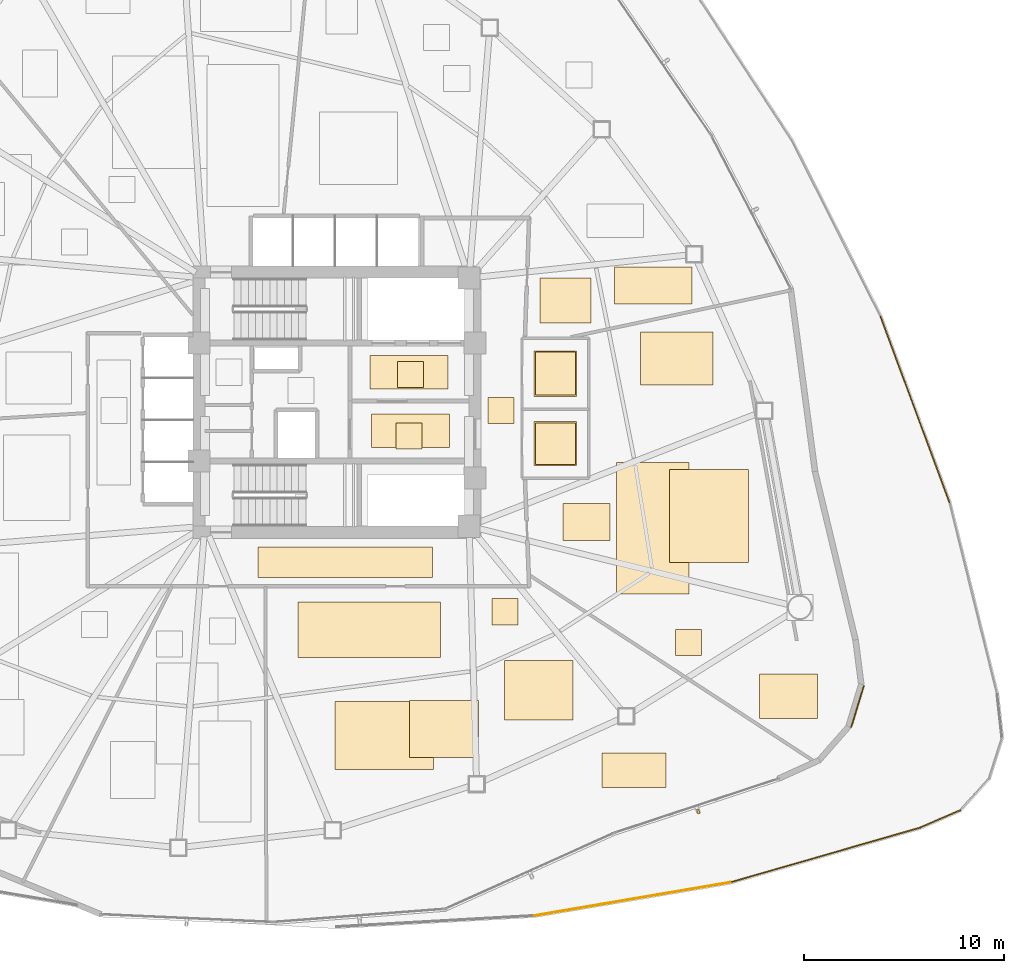
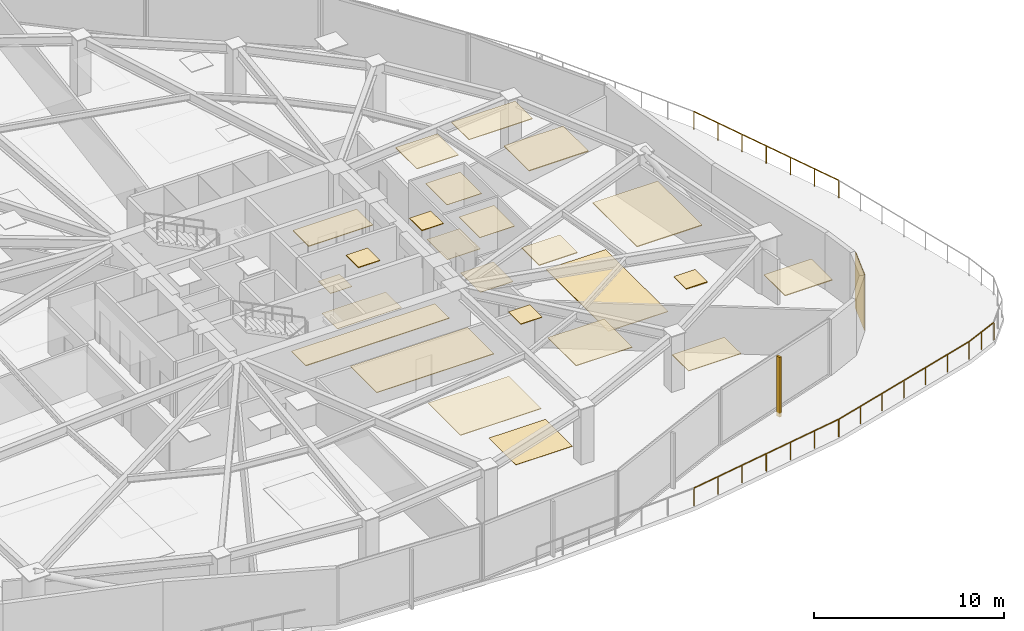
# One storey, part 16 of 19: 25 coverings, 4 railings, 1 shading device.
"""IFC4 building model written with IfcOpenShell, lengths in metres."""

import ifcopenshell
import ifcopenshell.guid

model = None  # the IFC model being written
_history = None  # IfcOwnerHistory: only IFC2X3 demands one
_inside = {}  # id of a spatial element -> (the spatial element, [elements in it])
_under = {}  # id of a project, library or spatial element -> (it, [spatial elements below it])
_declared = {}  # id of a project -> (the project, [libraries it declares])
_typed = {}  # id of a type object -> (the type object, [elements of that type])
_made_of = {}  # id of a material, layer set ... -> (it, [elements and type objects made of it])


def new_model(schema):
    """Start an empty IFC model of exactly this schema.

    Asked for "IFC4X3", IfcOpenShell would pick the latest addendum, in which some entities
    have other attributes; the version numbers below select the first issue.
    IFC2X3 requires an IfcOwnerHistory on every rooted entity: one is made here for all.
    """
    global model, _history
    if schema == "IFC4X3":
        model = ifcopenshell.file(schema_version=(4, 3, 0, 0))
    else:
        model = ifcopenshell.file(schema=schema)
    _inside.clear()
    _under.clear()
    _declared.clear()
    _typed.clear()
    _made_of.clear()
    _history = None
    if model.schema == "IFC2X3":
        org = make("IfcOrganization", Name="unknown")
        user = make(
            "IfcPersonAndOrganization",
            ThePerson=make("IfcPerson", FamilyName="unknown"),
            TheOrganization=org,
        )
        app = make(
            "IfcApplication",
            ApplicationDeveloper=org,
            Version="unknown",
            ApplicationFullName="unknown",
            ApplicationIdentifier="unknown",
        )
        _history = make(
            "IfcOwnerHistory",
            OwningUser=user,
            OwningApplication=app,
            ChangeAction="ADDED",
            CreationDate=0,
        )
    return model


def make(cls, **values):
    """One entity of the class cls with the attributes given. An attribute that is None is left unset."""
    return model.create_entity(
        cls, **{name: value for name, value in values.items() if value is not None}
    )


def rooted(cls, **values):
    """An entity with a GlobalId (a new one), such as an element, a storey or a relation."""
    return make(cls, GlobalId=ifcopenshell.guid.new(), OwnerHistory=_history, **values)


def si_unit(unit_type, name, prefix=None):
    """IfcSIUnit, for example si_unit("LENGTHUNIT", "METRE", prefix="MILLI")."""
    return make("IfcSIUnit", UnitType=unit_type, Prefix=prefix, Name=name)


def assignment(units):
    """IfcUnitAssignment: the units of a project."""
    return None if units is None else make("IfcUnitAssignment", Units=units)


def point(xyz):
    """IfcCartesianPoint."""
    return None if xyz is None else make("IfcCartesianPoint", Coordinates=xyz)


def direction(xyz):
    """IfcDirection."""
    return None if xyz is None else make("IfcDirection", DirectionRatios=xyz)


def frame(location, z_axis=None, x_axis=None):
    """IfcAxis2Placement3D, a coordinate frame: its origin and axes. An axis left out is left unset."""
    return make(
        "IfcAxis2Placement3D",
        Location=point(location),
        Axis=direction(z_axis),
        RefDirection=direction(x_axis),
    )


def frame_2d(location, x_axis=None):
    """IfcAxis2Placement2D, a coordinate frame in the plane: its origin and x axis."""
    return make(
        "IfcAxis2Placement2D", Location=point(location), RefDirection=direction(x_axis)
    )


def origin():
    """The frame at (0, 0, 0) with its axes left unset."""
    return frame((0.0, 0.0, 0.0))


def origin_2d():
    """The frame at (0, 0) in the plane with its x axis left unset."""
    return frame_2d((0.0, 0.0))


def place(relative_to, where):
    """IfcLocalPlacement: puts the frame where relative to a parent placement (None: the world)."""
    return make(
        "IfcLocalPlacement", PlacementRelTo=relative_to, RelativePlacement=where
    )


def context(
    kind, dimensions, precision=None, world=None, true_north=None, identifier=None
):
    """IfcGeometricRepresentationContext, for example the 3D "Model" context."""
    return make(
        "IfcGeometricRepresentationContext",
        ContextIdentifier=identifier,
        ContextType=kind,
        CoordinateSpaceDimension=dimensions,
        Precision=precision,
        WorldCoordinateSystem=world,
        TrueNorth=true_north,
    )


def subcontext(parent, identifier, kind, view, scale=None):
    """IfcGeometricRepresentationSubContext, for example "Body" below "Model"."""
    return make(
        "IfcGeometricRepresentationSubContext",
        ContextIdentifier=identifier,
        ContextType=kind,
        ParentContext=parent,
        TargetScale=scale,
        TargetView=view,
    )


def project(units=None, contexts=None):
    """IfcProject with its units and contexts."""
    return rooted(
        "IfcProject",
        Name="project",
        RepresentationContexts=contexts,
        UnitsInContext=assignment(units),
    )


def spatial(cls, under=None, at=None, **own):
    """A site, building, storey or space (cls), placed at a placement, below another one or the project."""
    s = rooted(cls, ObjectPlacement=at, **own)
    if under is not None:
        _under.setdefault(under.id(), (under, []))[1].append(s)
    return s


def polyline(points):
    """IfcPolyline through the points."""
    return make("IfcPolyline", Points=[point(p) for p in points])


def profile(cls, at=None, kind="AREA", **sizes):
    """A parametric profile (cls). Its sizes go by their IFC names, for example OverallWidth=200.0."""
    return make(cls, ProfileType=kind, Position=at, **sizes)


def rectangle(**sizes):
    """IfcRectangleProfileDef."""
    return profile("IfcRectangleProfileDef", **sizes)


def outline(outer, holes=None, kind="AREA"):
    """IfcArbitraryClosedProfileDef: a profile drawn as a closed curve; with holes, ...WithVoids."""
    if holes is None:
        return make("IfcArbitraryClosedProfileDef", ProfileType=kind, OuterCurve=outer)
    return make(
        "IfcArbitraryProfileDefWithVoids",
        ProfileType=kind,
        OuterCurve=outer,
        InnerCurves=holes,
    )


def extrude(swept, where, along, depth):
    """IfcExtrudedAreaSolid: the profile swept, set in the frame where, extruded along a direction by depth."""
    return make(
        "IfcExtrudedAreaSolid",
        SweptArea=swept,
        Position=where,
        ExtrudedDirection=direction(along),
        Depth=depth,
    )


def shape(context_of_items, identifier, shape_type, items):
    """IfcShapeRepresentation: the items that make up one representation, for example the "Body"."""
    return make(
        "IfcShapeRepresentation",
        ContextOfItems=context_of_items,
        RepresentationIdentifier=identifier,
        RepresentationType=shape_type,
        Items=items,
    )


def source(mapping_origin, context_of_items, identifier, shape_type, items):
    """IfcRepresentationMap: a shape defined once, which mapped items show again and again."""
    return make(
        "IfcRepresentationMap",
        MappingOrigin=mapping_origin,
        MappedRepresentation=shape(context_of_items, identifier, shape_type, items),
    )


def transform(
    local_origin,
    x_axis=None,
    y_axis=None,
    z_axis=None,
    scale=None,
    scale2=None,
    scale3=None,
    uniform=True,
):
    """IfcCartesianTransformationOperator3D, or its non-uniform kind. x_axis, y_axis, z_axis: its Axis1, 2, 3."""
    if uniform:
        return make(
            "IfcCartesianTransformationOperator3D",
            Axis1=direction(x_axis),
            Axis2=direction(y_axis),
            LocalOrigin=point(local_origin),
            Scale=scale,
            Axis3=direction(z_axis),
        )
    return make(
        "IfcCartesianTransformationOperator3DnonUniform",
        Axis1=direction(x_axis),
        Axis2=direction(y_axis),
        LocalOrigin=point(local_origin),
        Scale=scale,
        Axis3=direction(z_axis),
        Scale2=scale2,
        Scale3=scale3,
    )


def mapped(mapping_source, mapping_target):
    """IfcMappedItem: shows the shape of a source again, moved by a transform."""
    return make(
        "IfcMappedItem", MappingSource=mapping_source, MappingTarget=mapping_target
    )


def material(Name=None, Category=None):
    """IfcMaterial."""
    return make("IfcMaterial", Name=Name, Category=Category)


def layer(
    of_material, thickness, ventilated=None, Name=None, Category=None, Priority=None
):
    """IfcMaterialLayer: one layer of a wall or slab, of a material (None: an air gap)."""
    return make(
        "IfcMaterialLayer",
        Material=of_material,
        LayerThickness=thickness,
        IsVentilated=ventilated,
        Name=Name,
        Category=Category,
        Priority=Priority,
    )


def layer_set(layers, Name=None):
    """IfcMaterialLayerSet."""
    return make("IfcMaterialLayerSet", MaterialLayers=layers, LayerSetName=Name)


def made_of(thing, what):
    """Note that an element or type object is made of a material, layer set ...; save() writes the relation."""
    if what is not None:
        _made_of.setdefault(what.id(), (what, []))[1].append(thing)
    return thing


def type_object(cls, material=None, **own):
    """A type object (cls), such as IfcWallType, which elements share."""
    return made_of(rooted(cls, **own), material)


def type_shapes(of_type, sources):
    """Give a type object the sources (RepresentationMaps) that its elements show as mapped items."""
    of_type.RepresentationMaps = sources


def element(
    cls,
    number,
    at=None,
    inside=None,
    cuts=None,
    type_object=None,
    material=None,
    context=None,
    identifier="Body",
    shape_type=None,
    held_by="IfcProductDefinitionShape",
    body=None,
    shapes=None,
    **own,
):
    """One element of the class cls, such as IfcWall. Its Tag is "e" and its number.

    at: its placement. inside: the storey or other place that contains it. cuts: it is an
    opening in that element (IfcRelVoidsElement). A single representation is given by context,
    identifier, shape_type and body (its items); several are given by shapes. held_by: the class
    of the entity that holds the representations. save() writes the other relations.
    """
    e = rooted(cls, Tag="e%d" % number, ObjectPlacement=at, **own)
    if body is not None:
        shapes = [shape(context, identifier, shape_type, body)]
    if shapes is not None:
        e.Representation = make(held_by, Representations=shapes)
    if inside is not None:
        _inside.setdefault(inside.id(), (inside, []))[1].append(e)
    if cuts is not None:
        rooted(
            "IfcRelVoidsElement", RelatingBuildingElement=cuts, RelatedOpeningElement=e
        )
    if type_object is not None:
        _typed.setdefault(type_object.id(), (type_object, []))[1].append(e)
    return made_of(e, material)


def aggregate(whole, parts):
    """IfcRelAggregates: a whole, such as a stair, and the parts it consists of."""
    return rooted("IfcRelAggregates", RelatingObject=whole, RelatedObjects=parts)


def save(model, path):
    """Write the relations noted so far, then the file.

    IfcRelAggregates (storeys below a building ...), IfcRelContainedInSpatialStructure (elements
    in a storey), IfcRelDefinesByType, IfcRelAssociatesMaterial and IfcRelDeclares: one each for
    every whole, place, type object, material and project.
    """
    for whole, parts in _under.values():
        aggregate(whole, parts)
    for where, things in _inside.values():
        rooted(
            "IfcRelContainedInSpatialStructure",
            RelatedElements=things,
            RelatingStructure=where,
        )
    for kind, things in _typed.values():
        rooted("IfcRelDefinesByType", RelatedObjects=things, RelatingType=kind)
    for what, things in _made_of.values():
        rooted("IfcRelAssociatesMaterial", RelatedObjects=things, RelatingMaterial=what)
    for by, libraries in _declared.values():
        rooted("IfcRelDeclares", RelatingContext=by, RelatedDefinitions=libraries)
    model.write(path)


model = new_model("IFC4")

# Units and contexts
model_context = context("Model", 3, precision=1e-05, world=origin(), true_north=direction((0.0, 1.0)))
body_context = subcontext(model_context, "Body", "Model", "MODEL_VIEW")
ifc_project = project(units=[si_unit("LENGTHUNIT", "METRE"), si_unit("AREAUNIT", "SQUARE_METRE"), si_unit("VOLUMEUNIT", "CUBIC_METRE"), si_unit("PLANEANGLEUNIT", "RADIAN"), si_unit("MASSUNIT", "GRAM", prefix="KILO")], contexts=[model_context])

# Site, building, storey
site_placement = place(None, origin())
site = spatial("IfcSite", under=ifc_project, at=site_placement, CompositionType="ELEMENT")
building_placement = place(site_placement, origin())
building = spatial("IfcBuilding", under=site, at=building_placement, Name="Tavelor Broadcast Tower", CompositionType="ELEMENT")
storey_placement = place(building_placement, frame((0.0, 0.0, 27.60009765625)))
storey = spatial("IfcBuildingStorey", under=building, at=storey_placement, Name="L05", CompositionType="ELEMENT", Elevation=27.60009765625)

# Coverings
ifc_material_1 = material(Name="Copper-Bronze Anodized Aluminium", Category="aluminium")
ifc_layer_1 = layer(ifc_material_1, 0.044921875)
ifc_layer_set_1 = layer_set([ifc_layer_1], Name="Copper-Bronze Anodized Aluminium")
covering_type_1 = type_object("IfcCoveringType", Name="Anodised Bronze Linear Slatted Concourse Ceiling 45 mm", PredefinedType="CEILING", material=ifc_layer_set_1)
covering_1_placement = place(storey_placement, frame((0.0, 0.0, 3.554931640625)))
element("IfcCovering", 1, at=covering_1_placement, inside=storey, type_object=covering_type_1, Name="L05 Suspended Acoustic Ceiling 0115", PredefinedType="CEILING", context=body_context, shape_type="SweptSolid", body=[
    extrude(outline(polyline([(51.659912109375, 45.654296875), (55.55712890625, 45.654296875), (55.55712890625, 47.331787109375), (51.659912109375, 47.331787109375), (51.659912109375, 45.654296875)])), origin(), (0.0, 0.0, 1.0), 0.044921875),
])
covering_2_placement = place(storey_placement, frame((0.0, 0.0, 3.554931640625)))
element("IfcCovering", 2, at=covering_2_placement, inside=storey, type_object=covering_type_1, Name="L05 Suspended Acoustic Ceiling 0116", PredefinedType="CEILING", context=body_context, shape_type="SweptSolid", body=[
    extrude(outline(polyline([(52.95361328125, 42.656982421875), (54.25341796875, 42.656982421875), (54.25341796875, 43.95703125), (52.95361328125, 43.95703125), (52.95361328125, 42.656982421875)])), origin(), (0.0, 0.0, 1.0), 0.044921875),
])
covering_3_placement = place(storey_placement, frame((0.0, 0.0, 3.554931640625)))
element("IfcCovering", 3, at=covering_3_placement, inside=storey, type_object=covering_type_1, Name="L05 Suspended Acoustic Ceiling 0119", PredefinedType="CEILING", context=body_context, shape_type="SweptSolid", body=[
    extrude(outline(polyline([(57.5400390625, 43.925048828125), (58.840087890625, 43.925048828125), (58.840087890625, 45.22509765625), (57.5400390625, 45.22509765625), (57.5400390625, 43.925048828125)])), origin(), (0.0, 0.0, 1.0), 0.044921875),
])
covering_4_placement = place(storey_placement, frame((0.0, 0.0, 3.554931640625)))
element("IfcCovering", 4, at=covering_4_placement, inside=storey, type_object=covering_type_1, Name="L05 Suspended Acoustic Ceiling 0120", PredefinedType="CEILING", context=body_context, shape_type="SweptSolid", body=[
    extrude(outline(polyline([(46.05078125, 36.23828125), (54.776611328125, 36.23828125), (54.776611328125, 37.76171875), (46.05078125, 37.76171875), (46.05078125, 36.23828125)])), origin(), (0.0, 0.0, 1.0), 0.044921875),
])
ifc_layer_2 = layer(ifc_material_1, 0.050048828125)
ifc_layer_set_2 = layer_set([ifc_layer_2], Name="Copper-Bronze Anodized Aluminium")
covering_type_2 = type_object("IfcCoveringType", Name="Champagne-Bronze Corner Pier Metal Cladding 50 mm", PredefinedType="CLADDING", material=ifc_layer_set_2)
covering_5_placement = place(storey_placement, frame((76.002685546875, 29.794921875, 0.019775390625), z_axis=(0.0, 0.0, 1.0), x_axis=(0.29153706017, 0.956559534241, 0.0)))
element("IfcCovering", 5, at=covering_5_placement, inside=storey, type_object=covering_type_2, Name="L05 Champagne-Bronze Corner Cladding 23", PredefinedType="CLADDING", context=body_context, shape_type="SweptSolid", body=[
    extrude(rectangle(XDim=2.173095703125, YDim=0.050048828125, at=origin_2d()), origin(), (0.0, 0.0, 1.0), 3.56005859375),
])
ifc_material_2 = material(Name="Acoustic Nylon Carpet Tile")
ifc_layer_3 = layer(ifc_material_2, 0.02001953125)
ifc_layer_set_3 = layer_set([ifc_layer_3], Name="Acoustic Nylon Carpet Tile")
covering_type_3 = type_object("IfcCoveringType", Name="Heavy-Duty Acoustic Broadcast Carpet Tile 20 mm", PredefinedType="FLOORING", material=ifc_layer_set_3)
covering_6_placement = place(storey_placement, origin())
element("IfcCovering", 6, at=covering_6_placement, inside=storey, type_object=covering_type_3, Name="L05 Broadcast Floor Finish 0055", PredefinedType="FLOORING", context=body_context, shape_type="SweptSolid", body=[
    extrude(outline(polyline([(53.620361328125, 27.247802734375), (57.057861328125, 27.247802734375), (57.057861328125, 30.08935546875), (53.620361328125, 30.08935546875), (53.620361328125, 27.247802734375)])), origin(), (0.0, 0.0, 1.0), 0.02001953125),
])
ifc_material_3 = material(Name="Honed Natural Limestone Tile", Category="masonry")
ifc_layer_4 = layer(ifc_material_3, 0.030029296875)
ifc_layer_set_4 = layer_set([ifc_layer_4], Name="Honed Natural Limestone Tile")
covering_type_4 = type_object("IfcCoveringType", Name="Honed Jerusalem Limestone Concourse Flooring 30 mm", PredefinedType="FLOORING", material=ifc_layer_set_4)
covering_7_placement = place(storey_placement, origin())
element("IfcCovering", 7, at=covering_7_placement, inside=storey, type_object=covering_type_4, Name="L05 Broadcast Floor Finish 0050", PredefinedType="FLOORING", context=body_context, shape_type="SweptSolid", body=[
    extrude(outline(polyline([(53.030029296875, 45.728515625), (54.330078125, 45.728515625), (54.330078125, 47.028564453125), (53.030029296875, 47.028564453125), (53.030029296875, 45.728515625)])), origin(), (0.0, 0.0, 1.0), 0.02978515625),
])
covering_8_placement = place(storey_placement, origin())
element("IfcCovering", 8, at=covering_8_placement, inside=storey, type_object=covering_type_4, Name="L05 Broadcast Floor Finish 0051", PredefinedType="FLOORING", context=body_context, shape_type="SweptSolid", body=[
    extrude(outline(polyline([(51.728759765625, 42.743408203125), (55.62109375, 42.743408203125), (55.62109375, 44.396484375), (51.728759765625, 44.396484375), (51.728759765625, 42.743408203125)])), origin(), (0.0, 0.0, 1.0), 0.02978515625),
])
ifc_material_4 = material(Name="Acoustic Hardwood Studio Flooring", Category="wood")
ifc_layer_5 = layer(ifc_material_4, 0.034912109375)
ifc_layer_set_5 = layer_set([ifc_layer_5], Name="Acoustic Hardwood Studio Flooring")
covering_type_5 = type_object("IfcCoveringType", Name="Isolated Studio Acoustic Elastomeric Floor Finish 35 mm", PredefinedType="FLOORING", material=ifc_layer_set_5)
covering_9_placement = place(storey_placement, origin())
element("IfcCovering", 9, at=covering_9_placement, inside=storey, type_object=covering_type_5, Name="L05 Broadcast Floor Finish 0061", PredefinedType="FLOORING", context=body_context, shape_type="SweptSolid", body=[
    extrude(outline(polyline([(63.959228515625, 35.421875), (67.585205078125, 35.421875), (67.585205078125, 41.975830078125), (63.959228515625, 41.975830078125), (63.959228515625, 35.421875)])), origin(), (0.0, 0.0, 1.0), 0.034912109375),
])
ifc_material_5 = material(Name="Acoustic Perforated Timber Baffle", Category="wood")
ifc_layer_6 = layer(ifc_material_5, 0.054931640625)
ifc_layer_set_6 = layer_set([ifc_layer_6], Name="Acoustic Perforated Timber Baffle")
covering_type_6 = type_object("IfcCoveringType", Name="Micro-Perforated Acoustic Baffle Studio Ceiling 55 mm", PredefinedType="CEILING", material=ifc_layer_set_6)
covering_10_placement = place(storey_placement, frame((0.0, 0.0, 3.544921875)))
element("IfcCovering", 10, at=covering_10_placement, inside=storey, type_object=covering_type_6, Name="L05 Suspended Acoustic Ceiling 0156", PredefinedType="CEILING", context=body_context, shape_type="SweptSolid", body=[
    extrude(outline(polyline([(61.2998046875, 38.08984375), (63.629638671875, 38.08984375), (63.629638671875, 39.935546875), (61.2998046875, 39.935546875), (61.2998046875, 38.08984375)])), origin(), (0.0, 0.0, 1.0), 0.054931640625),
])
covering_11_placement = place(storey_placement, frame((0.0, 0.0, 3.544921875)))
element("IfcCovering", 11, at=covering_11_placement, inside=storey, type_object=covering_type_6, Name="L05 Suspended Acoustic Ceiling 0157", PredefinedType="CEILING", context=body_context, shape_type="SweptSolid", body=[
    extrude(outline(polyline([(65.165283203125, 45.860107421875), (68.77587890625, 45.860107421875), (68.77587890625, 48.5), (65.165283203125, 48.5), (65.165283203125, 45.860107421875)])), origin(), (0.0, 0.0, 1.0), 0.054931640625),
])
covering_12_placement = place(storey_placement, frame((0.0, 0.0, 3.544921875)))
element("IfcCovering", 12, at=covering_12_placement, inside=storey, type_object=covering_type_6, Name="L05 Suspended Acoustic Ceiling 0158", PredefinedType="CEILING", context=body_context, shape_type="SweptSolid", body=[
    extrude(outline(polyline([(66.60400390625, 36.98828125), (70.559814453125, 36.98828125), (70.559814453125, 41.643798828125), (66.60400390625, 41.643798828125), (66.60400390625, 36.98828125)])), origin(), (0.0, 0.0, 1.0), 0.054931640625),
])
covering_13_placement = place(storey_placement, frame((0.0, 0.0, 3.544921875)))
element("IfcCovering", 13, at=covering_13_placement, inside=storey, type_object=covering_type_6, Name="L05 Suspended Acoustic Ceiling 0159", PredefinedType="CEILING", context=body_context, shape_type="SweptSolid", body=[
    extrude(outline(polyline([(66.90625, 32.332275390625), (68.206298828125, 32.332275390625), (68.206298828125, 33.632080078125), (66.90625, 33.632080078125), (66.90625, 32.332275390625)])), origin(), (0.0, 0.0, 1.0), 0.054931640625),
])
covering_14_placement = place(storey_placement, frame((0.0, 0.0, 3.544921875)))
element("IfcCovering", 14, at=covering_14_placement, inside=storey, type_object=covering_type_6, Name="L05 Suspended Acoustic Ceiling 0160", PredefinedType="CEILING", context=body_context, shape_type="SweptSolid", body=[
    extrude(outline(polyline([(71.10302734375, 29.206298828125), (73.9912109375, 29.206298828125), (73.9912109375, 31.41162109375), (71.10302734375, 31.41162109375), (71.10302734375, 29.206298828125)])), origin(), (0.0, 0.0, 1.0), 0.054931640625),
])
ifc_material_6 = material(Name="Architectural Anodized Aluminium", Category="aluminium")
ifc_layer_7 = layer(ifc_material_6, 0.030029296875)
ifc_layer_set_7 = layer_set([ifc_layer_7], Name="Architectural Anodized Aluminium")
covering_type_7 = type_object("IfcCoveringType", Name="Moisture-Resistant Washroom Ceiling 30 mm", PredefinedType="CEILING", material=ifc_layer_set_7)
covering_15_placement = place(storey_placement, frame((0.0, 0.0, 3.56982421875)))
element("IfcCovering", 15, at=covering_15_placement, inside=storey, type_object=covering_type_7, Name="L05 Suspended Acoustic Ceiling 0122", PredefinedType="CEILING", context=body_context, shape_type="SweptSolid", body=[
    extrude(outline(polyline([(59.85302734375, 41.828369140625), (61.967041015625, 41.828369140625), (61.967041015625, 44.021484375), (59.85302734375, 44.021484375), (59.85302734375, 41.828369140625)])), origin(), (0.0, 0.0, 1.0), 0.030029296875),
])
covering_16_placement = place(storey_placement, frame((0.0, 0.0, 3.56982421875)))
element("IfcCovering", 16, at=covering_16_placement, inside=storey, type_object=covering_type_7, Name="L05 Suspended Acoustic Ceiling 0123", PredefinedType="CEILING", context=body_context, shape_type="SweptSolid", body=[
    extrude(outline(polyline([(59.85302734375, 45.29248046875), (61.967041015625, 45.29248046875), (61.967041015625, 47.5576171875), (59.85302734375, 47.5576171875), (59.85302734375, 45.29248046875)])), origin(), (0.0, 0.0, 1.0), 0.030029296875),
])

# Railings
ifc_material_7 = material(Name="Steel S355", Category="steel")
railing_type = type_object("IfcRailingType", Name="Planted Terrace Laminated Glass Balustrade 1150 mm", PredefinedType="BALUSTRADE", material=ifc_material_7)
railing_1_placement = place(storey_placement, frame((59.873291015625, 19.347412109375, 0.0)))
element("IfcRailing", 17, at=railing_1_placement, inside=storey, type_object=railing_type, Name="L05 Cascading Garden Terrace 1 Balustrade #125", PredefinedType="BALUSTRADE", context=body_context, shape_type="SweptSolid", body=[
    extrude(rectangle(XDim=0.048095703125, YDim=0.048095703125, at=origin_2d()), frame((0.0, 0.0, 1.1259765625), z_axis=(0.98585584667, 0.167595493934, 0.0), x_axis=(-0.167595493934, 0.98585584667, 0.0)), (0.0, 0.0, 1.0), 9.90576171875),
    extrude(rectangle(XDim=0.0419921875, YDim=0.0419921875, at=origin_2d()), origin(), (0.0, 0.0, 1.0), 1.101806640625),
    extrude(rectangle(XDim=0.0419921875, YDim=0.0419921875, at=origin_2d()), frame((1.627685546875, 0.276611328125, 0.0)), (0.0, 0.0, 1.0), 1.101806640625),
    extrude(rectangle(XDim=0.0419921875, YDim=0.0419921875, at=origin_2d()), frame((3.255126953125, 0.553466796875, 0.0)), (0.0, 0.0, 1.0), 1.101806640625),
    extrude(rectangle(XDim=0.0419921875, YDim=0.0419921875, at=origin_2d()), frame((4.8828125, 0.830078125, 0.0)), (0.0, 0.0, 1.0), 1.101806640625),
    extrude(rectangle(XDim=0.0419921875, YDim=0.0419921875, at=origin_2d()), frame((6.510498046875, 1.106689453125, 0.0)), (0.0, 0.0, 1.0), 1.101806640625),
    extrude(rectangle(XDim=0.0419921875, YDim=0.0419921875, at=origin_2d()), frame((8.137939453125, 1.383544921875, 0.0)), (0.0, 0.0, 1.0), 1.101806640625),
    extrude(rectangle(XDim=0.0419921875, YDim=0.0419921875, at=origin_2d()), frame((9.765625, 1.66015625, 0.0)), (0.0, 0.0, 1.0), 1.101806640625),
])
railing_2_placement = place(storey_placement, frame((69.6279296875, 21.0048828125, 0.0)))
element("IfcRailing", 18, at=railing_2_placement, inside=storey, type_object=railing_type, Name="L05 Cascading Garden Terrace 1 Balustrade #126", PredefinedType="BALUSTRADE", context=body_context, shape_type="SweptSolid", body=[
    extrude(rectangle(XDim=0.048095703125, YDim=0.048095703125, at=origin_2d()), frame((0.0, 0.0, 1.1259765625), z_axis=(0.960869269695, 0.277002250092, 0.0), x_axis=(-0.277002250092, 0.960869269695, 0.0)), (0.0, 0.0, 1.0), 9.90576171875),
    extrude(rectangle(XDim=0.0419921875, YDim=0.0419921875, at=origin_2d()), origin(), (0.0, 0.0, 1.0), 1.101806640625),
    extrude(rectangle(XDim=0.0419921875, YDim=0.0419921875, at=origin_2d()), frame((1.58642578125, 0.457275390625, 0.0)), (0.0, 0.0, 1.0), 1.101806640625),
    extrude(rectangle(XDim=0.0419921875, YDim=0.0419921875, at=origin_2d()), frame((3.172607421875, 0.91455078125, 0.0)), (0.0, 0.0, 1.0), 1.101806640625),
    extrude(rectangle(XDim=0.0419921875, YDim=0.0419921875, at=origin_2d()), frame((4.759033203125, 1.3720703125, 0.0)), (0.0, 0.0, 1.0), 1.101806640625),
    extrude(rectangle(XDim=0.0419921875, YDim=0.0419921875, at=origin_2d()), frame((6.345458984375, 1.829345703125, 0.0)), (0.0, 0.0, 1.0), 1.101806640625),
    extrude(rectangle(XDim=0.0419921875, YDim=0.0419921875, at=origin_2d()), frame((7.931640625, 2.28662109375, 0.0)), (0.0, 0.0, 1.0), 1.101806640625),
    extrude(rectangle(XDim=0.0419921875, YDim=0.0419921875, at=origin_2d()), frame((9.51806640625, 2.743896484375, 0.0)), (0.0, 0.0, 1.0), 1.101806640625),
])
railing_3_placement = place(storey_placement, frame((79.133544921875, 23.744384765625, 0.0)))
element("IfcRailing", 19, at=railing_3_placement, inside=storey, type_object=railing_type, Name="L05 Cascading Garden Terrace 1 Balustrade #127", PredefinedType="BALUSTRADE", context=body_context, shape_type="SweptSolid", body=[
    extrude(rectangle(XDim=0.048095703125, YDim=0.048095703125, at=origin_2d()), frame((0.0, 0.0, 1.1259765625), z_axis=(0.916722152354, 0.3995253376, 0.0), x_axis=(-0.3995253376, 0.916722152354, 0.0)), (0.0, 0.0, 1.0), 2.18896484375),
    extrude(rectangle(XDim=0.0419921875, YDim=0.0419921875, at=origin_2d()), origin(), (0.0, 0.0, 1.0), 1.101806640625),
    extrude(rectangle(XDim=0.0419921875, YDim=0.0419921875, at=origin_2d()), frame((1.00341796875, 0.437255859375, 0.0)), (0.0, 0.0, 1.0), 1.101806640625),
    extrude(rectangle(XDim=0.0419921875, YDim=0.0419921875, at=origin_2d()), frame((2.006591796875, 0.87451171875, 0.0)), (0.0, 0.0, 1.0), 1.101806640625),
])
railing_4_placement = place(storey_placement, frame((80.597412109375, 39.988525390625, 0.0)))
element("IfcRailing", 20, at=railing_4_placement, inside=storey, type_object=railing_type, Name="L05 Cascading Garden Terrace 1 Balustrade #132", PredefinedType="BALUSTRADE", context=body_context, shape_type="SweptSolid", body=[
    extrude(rectangle(XDim=0.048095703125, YDim=0.048095703125, at=origin_2d()), frame((0.0, 0.0, 1.1259765625), z_axis=(-0.347785507358, 0.937574125534, 0.0), x_axis=(-0.937574125534, -0.347785507358, 0.0)), (0.0, 0.0, 1.0), 9.90576171875),
    extrude(rectangle(XDim=0.0419921875, YDim=0.0419921875, at=origin_2d()), origin(), (0.0, 0.0, 1.0), 1.101806640625),
    extrude(rectangle(XDim=0.0419921875, YDim=0.0419921875, at=origin_2d()), frame((-0.57421875, 1.5478515625, 0.0)), (0.0, 0.0, 1.0), 1.101806640625),
    extrude(rectangle(XDim=0.0419921875, YDim=0.0419921875, at=origin_2d()), frame((-1.1484375, 3.095703125, 0.0)), (0.0, 0.0, 1.0), 1.101806640625),
    extrude(rectangle(XDim=0.0419921875, YDim=0.0419921875, at=origin_2d()), frame((-1.72265625, 4.6435546875, 0.0)), (0.0, 0.0, 1.0), 1.101806640625),
    extrude(rectangle(XDim=0.0419921875, YDim=0.0419921875, at=origin_2d()), frame((-2.296630859375, 6.191650390625, 0.0)), (0.0, 0.0, 1.0), 1.101806640625),
    extrude(rectangle(XDim=0.0419921875, YDim=0.0419921875, at=origin_2d()), frame((-2.870849609375, 7.739501953125, 0.0)), (0.0, 0.0, 1.0), 1.101806640625),
    extrude(rectangle(XDim=0.0419921875, YDim=0.0419921875, at=origin_2d()), frame((-3.445068359375, 9.287353515625, 0.0)), (0.0, 0.0, 1.0), 1.101806640625),
])

# Coverings
ifc_material_8 = material(Name="Slip-Resistant Porcelain Tile")
ifc_layer_8 = layer(ifc_material_8, 0.02490234375)
ifc_layer_set_8 = layer_set([ifc_layer_8], Name="Slip-Resistant Porcelain Tile")
covering_type_8 = type_object("IfcCoveringType", Name="Slip-Resistant Porcelain Wet-Area Floor Tile 25 mm", PredefinedType="FLOORING", material=ifc_layer_set_8)
covering_17_placement = place(storey_placement, origin())
element("IfcCovering", 21, at=covering_17_placement, inside=storey, type_object=covering_type_8, Name="L05 Broadcast Floor Finish 0053", PredefinedType="FLOORING", context=body_context, shape_type="SweptSolid", body=[
    extrude(outline(polyline([(59.91064453125, 41.885986328125), (61.909423828125, 41.885986328125), (61.909423828125, 43.964111328125), (59.91064453125, 43.964111328125), (59.91064453125, 41.885986328125)])), origin(), (0.0, 0.0, 1.0), 0.02490234375),
])
covering_18_placement = place(storey_placement, origin())
element("IfcCovering", 22, at=covering_18_placement, inside=storey, type_object=covering_type_8, Name="L05 Broadcast Floor Finish 0054", PredefinedType="FLOORING", context=body_context, shape_type="SweptSolid", body=[
    extrude(outline(polyline([(59.91064453125, 45.35009765625), (61.909423828125, 45.35009765625), (61.909423828125, 47.5), (59.91064453125, 47.5), (59.91064453125, 45.35009765625)])), origin(), (0.0, 0.0, 1.0), 0.02490234375),
])
ifc_material_9 = material(Name="Acoustic Mineral Fibre Tile")
ifc_layer_9 = layer(ifc_material_9, 0.0400390625)
ifc_layer_set_9 = layer_set([ifc_layer_9], Name="Acoustic Mineral Fibre Tile")
covering_type_9 = type_object("IfcCoveringType", Name="Suspended Acoustic Mineral-Fibre Office Ceiling 40 mm", PredefinedType="CEILING", material=ifc_layer_set_9)
covering_19_placement = place(storey_placement, frame((0.0, 0.0, 3.559814453125)))
element("IfcCovering", 23, at=covering_19_placement, inside=storey, type_object=covering_type_9, Name="L05 Suspended Acoustic Ceiling 0124", PredefinedType="CEILING", context=body_context, shape_type="SweptSolid", body=[
    extrude(outline(polyline([(63.24462890625, 25.745361328125), (66.433837890625, 25.745361328125), (66.433837890625, 27.479736328125), (63.24462890625, 27.479736328125), (63.24462890625, 25.745361328125)])), origin(), (0.0, 0.0, 1.0), 0.0400390625),
])
covering_20_placement = place(storey_placement, frame((0.0, 0.0, 3.559814453125)))
element("IfcCovering", 24, at=covering_20_placement, inside=storey, type_object=covering_type_9, Name="L05 Suspended Acoustic Ceiling 0125", PredefinedType="CEILING", context=body_context, shape_type="SweptSolid", body=[
    extrude(outline(polyline([(48.048095703125, 32.234375), (55.1630859375, 32.234375), (55.1630859375, 35.0126953125), (48.048095703125, 35.0126953125), (48.048095703125, 32.234375)])), origin(), (0.0, 0.0, 1.0), 0.0400390625),
])
covering_21_placement = place(storey_placement, frame((0.0, 0.0, 3.559814453125)))
element("IfcCovering", 25, at=covering_21_placement, inside=storey, type_object=covering_type_9, Name="L05 Suspended Acoustic Ceiling 0126", PredefinedType="CEILING", context=body_context, shape_type="SweptSolid", body=[
    extrude(outline(polyline([(57.7470703125, 33.87890625), (59.047119140625, 33.87890625), (59.047119140625, 35.178955078125), (57.7470703125, 35.178955078125), (57.7470703125, 33.87890625)])), origin(), (0.0, 0.0, 1.0), 0.0400390625),
])
covering_22_placement = place(storey_placement, frame((0.0, 0.0, 3.559814453125)))
element("IfcCovering", 26, at=covering_22_placement, inside=storey, type_object=covering_type_9, Name="L05 Suspended Acoustic Ceiling 0127", PredefinedType="CEILING", context=body_context, shape_type="SweptSolid", body=[
    extrude(outline(polyline([(58.36572265625, 29.121337890625), (61.7841796875, 29.121337890625), (61.7841796875, 32.0966796875), (58.36572265625, 32.0966796875), (58.36572265625, 29.121337890625)])), origin(), (0.0, 0.0, 1.0), 0.0400390625),
])
covering_23_placement = place(storey_placement, frame((0.0, 0.0, 3.559814453125)))
element("IfcCovering", 27, at=covering_23_placement, inside=storey, type_object=covering_type_9, Name="L05 Suspended Acoustic Ceiling 0128", PredefinedType="CEILING", context=body_context, shape_type="SweptSolid", body=[
    extrude(outline(polyline([(49.9033203125, 26.638916015625), (54.817138671875, 26.638916015625), (54.817138671875, 30.0517578125), (49.9033203125, 30.0517578125), (49.9033203125, 26.638916015625)])), origin(), (0.0, 0.0, 1.0), 0.0400390625),
])
covering_24_placement = place(storey_placement, frame((0.0, 0.0, 3.559814453125)))
element("IfcCovering", 28, at=covering_24_placement, inside=storey, type_object=covering_type_9, Name="L05 Suspended Acoustic Ceiling 0152", PredefinedType="CEILING", context=body_context, shape_type="SweptSolid", body=[
    extrude(outline(polyline([(63.85546875, 49.903564453125), (67.724609375, 49.903564453125), (67.724609375, 51.749267578125), (63.85546875, 51.749267578125), (63.85546875, 49.903564453125)])), origin(), (0.0, 0.0, 1.0), 0.0400390625),
])
covering_25_placement = place(storey_placement, frame((0.0, 0.0, 3.559814453125)))
element("IfcCovering", 29, at=covering_25_placement, inside=storey, type_object=covering_type_9, Name="L05 Suspended Acoustic Ceiling 0153", PredefinedType="CEILING", context=body_context, shape_type="SweptSolid", body=[
    extrude(outline(polyline([(60.138671875, 48.9619140625), (62.677490234375, 48.9619140625), (62.677490234375, 51.205322265625), (60.138671875, 51.205322265625), (60.138671875, 48.9619140625)])), origin(), (0.0, 0.0, 1.0), 0.0400390625),
])

# Shading device
ifc_material_10 = material(Name="Kiln-Fired Glazed Terracotta", Category="masonry")
shading_device_type = type_object("IfcShadingDeviceType", Name="Extruded Terracotta Baguette Sun-Screen 110x240", PredefinedType="JALOUSIE", material=ifc_material_10)
shared_shape = source(origin(), body_context, "Body", "SweptSolid", [
    extrude(rectangle(XDim=0.110107421875, YDim=0.239990234375, at=origin_2d()), origin(), (0.0, 0.0, 1.0), 3.840087890625),
])
type_shapes(shading_device_type, [shared_shape])
shading_device_placement = place(storey_placement, frame((68.045654296875, 24.54931640625, -0.26025390625), z_axis=(0.0, 0.0, 1.0), x_axis=(0.949535023841, 0.313661024833, 0.0)))
element("IfcShadingDevice", 30, at=shading_device_placement, inside=storey, type_object=shading_device_type, Name="L05 Terracotta Baguette Fin 20", PredefinedType="JALOUSIE", context=body_context, shape_type="MappedRepresentation", body=[
    mapped(shared_shape, transform((0.0, 0.0, 0.0), scale=1.0)),
])

save(model, "model.ifc")
